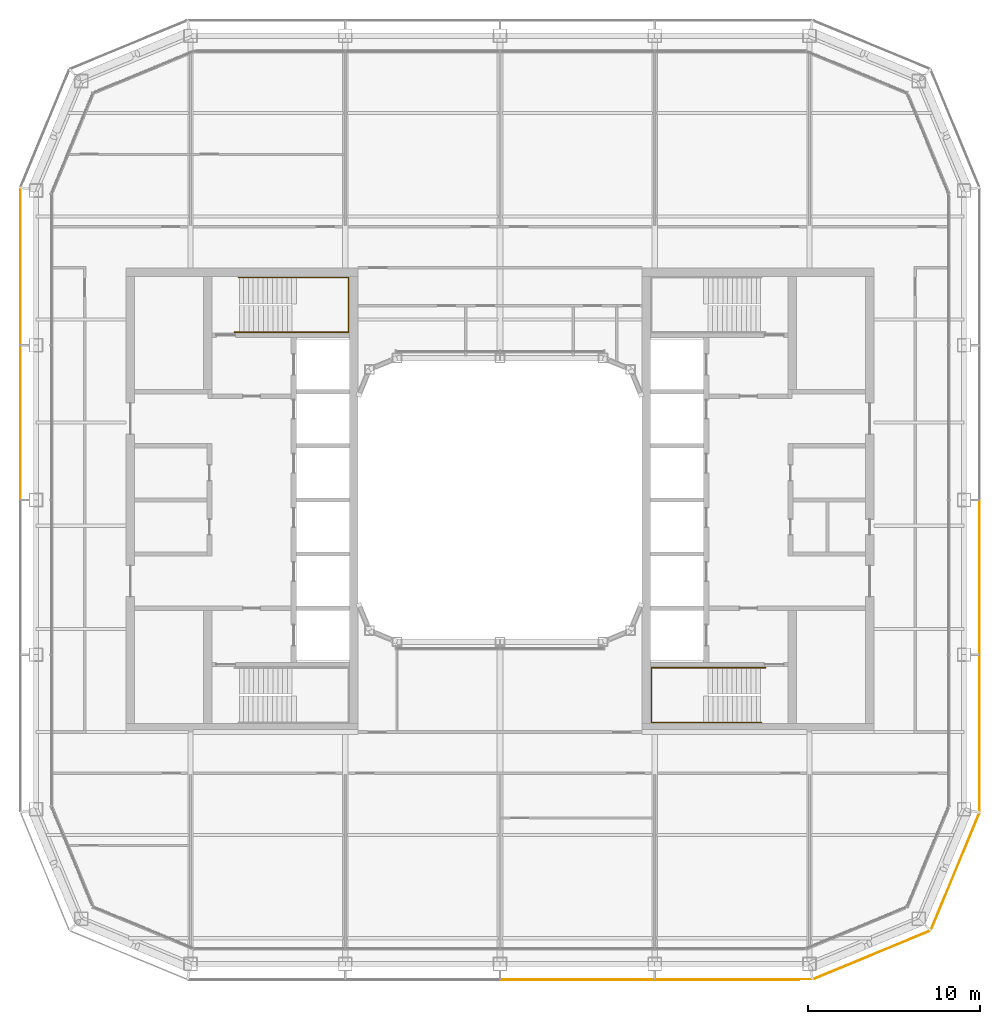
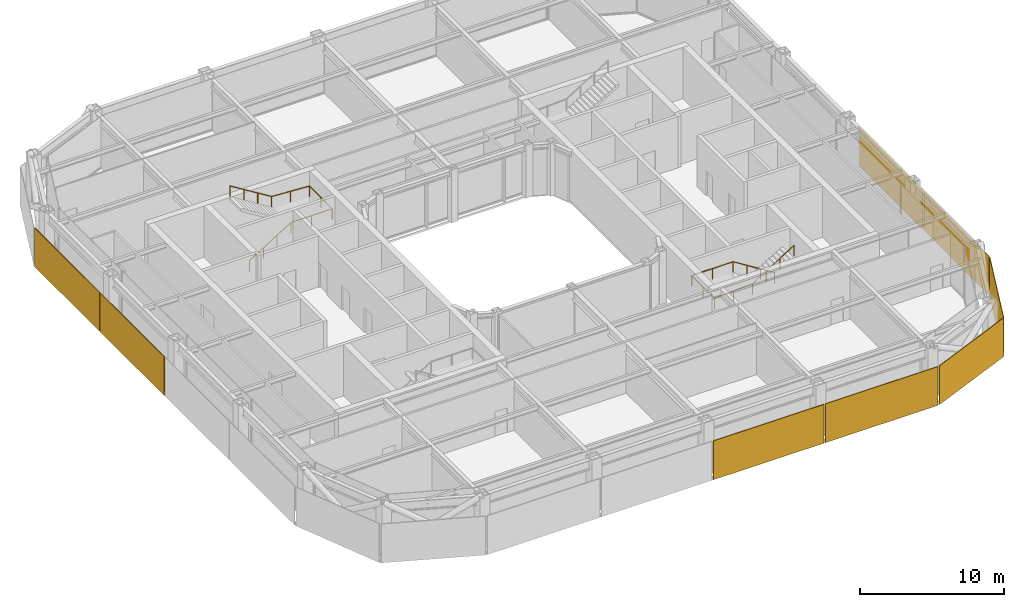
# One storey, part 17 of 19: 8 coverings, 2 railings.
"""IFC4 building model written with IfcOpenShell, lengths in metres."""

import ifcopenshell
import ifcopenshell.guid

model = None  # the IFC model being written
_history = None  # IfcOwnerHistory: only IFC2X3 demands one
_inside = {}  # id of a spatial element -> (the spatial element, [elements in it])
_under = {}  # id of a project, library or spatial element -> (it, [spatial elements below it])
_declared = {}  # id of a project -> (the project, [libraries it declares])
_typed = {}  # id of a type object -> (the type object, [elements of that type])
_made_of = {}  # id of a material, layer set ... -> (it, [elements and type objects made of it])


def new_model(schema):
    """Start an empty IFC model of exactly this schema.

    Asked for "IFC4X3", IfcOpenShell would pick the latest addendum, in which some entities
    have other attributes; the version numbers below select the first issue.
    IFC2X3 requires an IfcOwnerHistory on every rooted entity: one is made here for all.
    """
    global model, _history
    if schema == "IFC4X3":
        model = ifcopenshell.file(schema_version=(4, 3, 0, 0))
    else:
        model = ifcopenshell.file(schema=schema)
    _inside.clear()
    _under.clear()
    _declared.clear()
    _typed.clear()
    _made_of.clear()
    _history = None
    if model.schema == "IFC2X3":
        org = make("IfcOrganization", Name="unknown")
        user = make(
            "IfcPersonAndOrganization",
            ThePerson=make("IfcPerson", FamilyName="unknown"),
            TheOrganization=org,
        )
        app = make(
            "IfcApplication",
            ApplicationDeveloper=org,
            Version="unknown",
            ApplicationFullName="unknown",
            ApplicationIdentifier="unknown",
        )
        _history = make(
            "IfcOwnerHistory",
            OwningUser=user,
            OwningApplication=app,
            ChangeAction="ADDED",
            CreationDate=0,
        )
    return model


def make(cls, **values):
    """One entity of the class cls with the attributes given. An attribute that is None is left unset."""
    return model.create_entity(
        cls, **{name: value for name, value in values.items() if value is not None}
    )


def rooted(cls, **values):
    """An entity with a GlobalId (a new one), such as an element, a storey or a relation."""
    return make(cls, GlobalId=ifcopenshell.guid.new(), OwnerHistory=_history, **values)


def si_unit(unit_type, name, prefix=None):
    """IfcSIUnit, for example si_unit("LENGTHUNIT", "METRE", prefix="MILLI")."""
    return make("IfcSIUnit", UnitType=unit_type, Prefix=prefix, Name=name)


def assignment(units):
    """IfcUnitAssignment: the units of a project."""
    return None if units is None else make("IfcUnitAssignment", Units=units)


def point(xyz):
    """IfcCartesianPoint."""
    return None if xyz is None else make("IfcCartesianPoint", Coordinates=xyz)


def direction(xyz):
    """IfcDirection."""
    return None if xyz is None else make("IfcDirection", DirectionRatios=xyz)


def frame(location, z_axis=None, x_axis=None):
    """IfcAxis2Placement3D, a coordinate frame: its origin and axes. An axis left out is left unset."""
    return make(
        "IfcAxis2Placement3D",
        Location=point(location),
        Axis=direction(z_axis),
        RefDirection=direction(x_axis),
    )


def frame_2d(location, x_axis=None):
    """IfcAxis2Placement2D, a coordinate frame in the plane: its origin and x axis."""
    return make(
        "IfcAxis2Placement2D", Location=point(location), RefDirection=direction(x_axis)
    )


def origin():
    """The frame at (0, 0, 0) with its axes left unset."""
    return frame((0.0, 0.0, 0.0))


def origin_2d():
    """The frame at (0, 0) in the plane with its x axis left unset."""
    return frame_2d((0.0, 0.0))


def place(relative_to, where):
    """IfcLocalPlacement: puts the frame where relative to a parent placement (None: the world)."""
    return make(
        "IfcLocalPlacement", PlacementRelTo=relative_to, RelativePlacement=where
    )


def context(
    kind, dimensions, precision=None, world=None, true_north=None, identifier=None
):
    """IfcGeometricRepresentationContext, for example the 3D "Model" context."""
    return make(
        "IfcGeometricRepresentationContext",
        ContextIdentifier=identifier,
        ContextType=kind,
        CoordinateSpaceDimension=dimensions,
        Precision=precision,
        WorldCoordinateSystem=world,
        TrueNorth=true_north,
    )


def subcontext(parent, identifier, kind, view, scale=None):
    """IfcGeometricRepresentationSubContext, for example "Body" below "Model"."""
    return make(
        "IfcGeometricRepresentationSubContext",
        ContextIdentifier=identifier,
        ContextType=kind,
        ParentContext=parent,
        TargetScale=scale,
        TargetView=view,
    )


def project(units=None, contexts=None):
    """IfcProject with its units and contexts."""
    return rooted(
        "IfcProject",
        Name="project",
        RepresentationContexts=contexts,
        UnitsInContext=assignment(units),
    )


def spatial(cls, under=None, at=None, **own):
    """A site, building, storey or space (cls), placed at a placement, below another one or the project."""
    s = rooted(cls, ObjectPlacement=at, **own)
    if under is not None:
        _under.setdefault(under.id(), (under, []))[1].append(s)
    return s


def profile(cls, at=None, kind="AREA", **sizes):
    """A parametric profile (cls). Its sizes go by their IFC names, for example OverallWidth=200.0."""
    return make(cls, ProfileType=kind, Position=at, **sizes)


def rectangle(**sizes):
    """IfcRectangleProfileDef."""
    return profile("IfcRectangleProfileDef", **sizes)


def circle(**sizes):
    """IfcCircleProfileDef."""
    return profile("IfcCircleProfileDef", **sizes)


def extrude(swept, where, along, depth):
    """IfcExtrudedAreaSolid: the profile swept, set in the frame where, extruded along a direction by depth."""
    return make(
        "IfcExtrudedAreaSolid",
        SweptArea=swept,
        Position=where,
        ExtrudedDirection=direction(along),
        Depth=depth,
    )


def shape(context_of_items, identifier, shape_type, items):
    """IfcShapeRepresentation: the items that make up one representation, for example the "Body"."""
    return make(
        "IfcShapeRepresentation",
        ContextOfItems=context_of_items,
        RepresentationIdentifier=identifier,
        RepresentationType=shape_type,
        Items=items,
    )


def material(Name=None, Category=None):
    """IfcMaterial."""
    return make("IfcMaterial", Name=Name, Category=Category)


def layer(
    of_material, thickness, ventilated=None, Name=None, Category=None, Priority=None
):
    """IfcMaterialLayer: one layer of a wall or slab, of a material (None: an air gap)."""
    return make(
        "IfcMaterialLayer",
        Material=of_material,
        LayerThickness=thickness,
        IsVentilated=ventilated,
        Name=Name,
        Category=Category,
        Priority=Priority,
    )


def layer_set(layers, Name=None):
    """IfcMaterialLayerSet."""
    return make("IfcMaterialLayerSet", MaterialLayers=layers, LayerSetName=Name)


def made_of(thing, what):
    """Note that an element or type object is made of a material, layer set ...; save() writes the relation."""
    if what is not None:
        _made_of.setdefault(what.id(), (what, []))[1].append(thing)
    return thing


def type_object(cls, material=None, **own):
    """A type object (cls), such as IfcWallType, which elements share."""
    return made_of(rooted(cls, **own), material)


def element(
    cls,
    number,
    at=None,
    inside=None,
    cuts=None,
    type_object=None,
    material=None,
    context=None,
    identifier="Body",
    shape_type=None,
    held_by="IfcProductDefinitionShape",
    body=None,
    shapes=None,
    **own,
):
    """One element of the class cls, such as IfcWall. Its Tag is "e" and its number.

    at: its placement. inside: the storey or other place that contains it. cuts: it is an
    opening in that element (IfcRelVoidsElement). A single representation is given by context,
    identifier, shape_type and body (its items); several are given by shapes. held_by: the class
    of the entity that holds the representations. save() writes the other relations.
    """
    e = rooted(cls, Tag="e%d" % number, ObjectPlacement=at, **own)
    if body is not None:
        shapes = [shape(context, identifier, shape_type, body)]
    if shapes is not None:
        e.Representation = make(held_by, Representations=shapes)
    if inside is not None:
        _inside.setdefault(inside.id(), (inside, []))[1].append(e)
    if cuts is not None:
        rooted(
            "IfcRelVoidsElement", RelatingBuildingElement=cuts, RelatedOpeningElement=e
        )
    if type_object is not None:
        _typed.setdefault(type_object.id(), (type_object, []))[1].append(e)
    return made_of(e, material)


def aggregate(whole, parts):
    """IfcRelAggregates: a whole, such as a stair, and the parts it consists of."""
    return rooted("IfcRelAggregates", RelatingObject=whole, RelatedObjects=parts)


def save(model, path):
    """Write the relations noted so far, then the file.

    IfcRelAggregates (storeys below a building ...), IfcRelContainedInSpatialStructure (elements
    in a storey), IfcRelDefinesByType, IfcRelAssociatesMaterial and IfcRelDeclares: one each for
    every whole, place, type object, material and project.
    """
    for whole, parts in _under.values():
        aggregate(whole, parts)
    for where, things in _inside.values():
        rooted(
            "IfcRelContainedInSpatialStructure",
            RelatedElements=things,
            RelatingStructure=where,
        )
    for kind, things in _typed.values():
        rooted("IfcRelDefinesByType", RelatedObjects=things, RelatingType=kind)
    for what, things in _made_of.values():
        rooted("IfcRelAssociatesMaterial", RelatedObjects=things, RelatingMaterial=what)
    for by, libraries in _declared.values():
        rooted("IfcRelDeclares", RelatingContext=by, RelatedDefinitions=libraries)
    model.write(path)


model = new_model("IFC4")

# Units and contexts
model_context = context("Model", 3, precision=1e-05, world=origin(), true_north=direction((0.0, 1.0)))
body_context = subcontext(model_context, "Body", "Model", "MODEL_VIEW")
ifc_project = project(units=[si_unit("LENGTHUNIT", "METRE"), si_unit("AREAUNIT", "SQUARE_METRE"), si_unit("VOLUMEUNIT", "CUBIC_METRE"), si_unit("PLANEANGLEUNIT", "RADIAN"), si_unit("MASSUNIT", "GRAM", prefix="KILO")], contexts=[model_context])

# Site, building, storey
site_placement = place(None, origin())
site = spatial("IfcSite", under=ifc_project, at=site_placement, CompositionType="ELEMENT")
building_placement = place(site_placement, origin())
building = spatial("IfcBuilding", under=site, at=building_placement, Name="Siwar Civic Tower", CompositionType="ELEMENT")
storey_placement = place(building_placement, frame((0.0, 0.0, 246.699951171875)))
storey = spatial("IfcBuildingStorey", under=building, at=storey_placement, Name="L53", CompositionType="ELEMENT", Elevation=246.699951171875)

# Railings
ifc_material_1 = material(Name="Stainless steel", Category="steel")
railing_type = type_object("IfcRailingType", Name="CORE-STAIR-HANDRAIL", PredefinedType="HANDRAIL", material=ifc_material_1)
railing_1_placement = place(storey_placement, frame((-15.449951171875, 9.758056640625, 0.173095703125)))
element("IfcRailing", 1, at=railing_1_placement, inside=storey, type_object=railing_type, Name="Stair handrail ST1", PredefinedType="HANDRAIL", context=body_context, shape_type="SweptSolid", body=[
    extrude(circle(Radius=0.02001953125, at=origin_2d()), frame((0.0, 0.0, 0.8798828125), z_axis=(0.847063342986, 0.0, 0.531491950051), x_axis=(0.0, 1.0, 0.0)), (0.0, 0.0, 1.0), 3.90771484375),
    extrude(circle(Radius=0.02001953125, at=origin_2d()), frame((3.31005859375, 0.0, 2.956787109375), z_axis=(1.0, 0.0, 0.0), x_axis=(0.0, 1.0, 0.0)), (0.0, 0.0, 1.0), 3.331787109375),
    extrude(circle(Radius=0.02001953125, at=origin_2d()), frame((6.641845703125, 0.0, 2.956787109375), z_axis=(0.0, 1.0, 0.0), x_axis=(-1.0, 0.0, 0.0)), (0.0, 0.0, 1.0), 3.183837890625),
    extrude(circle(Radius=0.02001953125, at=origin_2d()), frame((6.641845703125, 3.183837890625, 2.956787109375), z_axis=(-0.99837434197, 0.0, 0.056997134106), x_axis=(0.0, -1.0, 0.0)), (0.0, 0.0, 1.0), 3.036865234375),
    extrude(circle(Radius=0.02001953125, at=origin_2d()), frame((3.60986328125, 3.183837890625, 3.1298828125), z_axis=(-0.850606129759, 0.0, 0.525803396734), x_axis=(0.0, -1.0, 0.0)), (0.0, 0.0, 1.0), 3.949951171875),
    extrude(circle(Radius=0.02001953125, at=origin_2d()), origin(), (0.0, 0.0, 1.0), 0.85986328125),
    extrude(circle(Radius=0.02001953125, at=origin_2d()), frame((1.103271484375, 0.0, 0.6923828125)), (0.0, 0.0, 1.0), 0.85986328125),
    extrude(circle(Radius=0.02001953125, at=origin_2d()), frame((2.206787109375, 0.0, 1.384521484375)), (0.0, 0.0, 1.0), 0.85986328125),
    extrude(circle(Radius=0.02001953125, at=origin_2d()), frame((3.31005859375, 0.0, 2.076904296875)), (0.0, 0.0, 1.0), 0.85986328125),
    extrude(circle(Radius=0.02001953125, at=origin_2d()), frame((4.97607421875, 0.0, 2.076904296875)), (0.0, 0.0, 1.0), 0.85986328125),
    extrude(circle(Radius=0.02001953125, at=origin_2d()), frame((6.641845703125, 0.0, 2.076904296875)), (0.0, 0.0, 1.0), 0.85986328125),
    extrude(circle(Radius=0.02001953125, at=origin_2d()), frame((6.641845703125, 1.591796875, 2.076904296875)), (0.0, 0.0, 1.0), 0.85986328125),
    extrude(circle(Radius=0.02001953125, at=origin_2d()), frame((6.641845703125, 3.183837890625, 2.076904296875)), (0.0, 0.0, 1.0), 0.85986328125),
    extrude(circle(Radius=0.02001953125, at=origin_2d()), frame((5.1259765625, 3.183837890625, 2.16357421875)), (0.0, 0.0, 1.0), 0.85986328125),
    extrude(circle(Radius=0.02001953125, at=origin_2d()), frame((3.60986328125, 3.183837890625, 2.25)), (0.0, 0.0, 1.0), 0.85986328125),
    extrude(circle(Radius=0.02001953125, at=origin_2d()), frame((2.489990234375, 3.183837890625, 2.9423828125)), (0.0, 0.0, 1.0), 0.85986328125),
    extrude(circle(Radius=0.02001953125, at=origin_2d()), frame((1.369873046875, 3.183837890625, 3.634521484375)), (0.0, 0.0, 1.0), 0.85986328125),
    extrude(circle(Radius=0.02001953125, at=origin_2d()), frame((0.25, 3.183837890625, 4.326904296875)), (0.0, 0.0, 1.0), 0.85986328125),
])
railing_2_placement = place(storey_placement, frame((15.449951171875, -9.758056640625, 0.173095703125)))
element("IfcRailing", 2, at=railing_2_placement, inside=storey, type_object=railing_type, Name="Stair handrail ST4", PredefinedType="HANDRAIL", context=body_context, shape_type="SweptSolid", body=[
    extrude(circle(Radius=0.02001953125, at=origin_2d()), frame((0.0, 0.0, 0.8798828125), z_axis=(-0.847063342986, 0.0, 0.531491950051), x_axis=(0.0, -1.0, 0.0)), (0.0, 0.0, 1.0), 3.90771484375),
    extrude(circle(Radius=0.02001953125, at=origin_2d()), frame((-3.31005859375, 0.0, 2.956787109375), z_axis=(-1.0, 0.0, 0.0), x_axis=(0.0, -1.0, 0.0)), (0.0, 0.0, 1.0), 3.331787109375),
    extrude(circle(Radius=0.02001953125, at=origin_2d()), frame((-6.641845703125, 0.0, 2.956787109375), z_axis=(0.0, -1.0, 0.0), x_axis=(1.0, 0.0, 0.0)), (0.0, 0.0, 1.0), 3.183837890625),
    extrude(circle(Radius=0.02001953125, at=origin_2d()), frame((-6.641845703125, -3.183837890625, 2.956787109375), z_axis=(0.99837434197, 0.0, 0.056997134106), x_axis=(0.0, 1.0, 0.0)), (0.0, 0.0, 1.0), 3.036865234375),
    extrude(circle(Radius=0.02001953125, at=origin_2d()), frame((-3.60986328125, -3.183837890625, 3.1298828125), z_axis=(0.850606129759, 0.0, 0.525803396734), x_axis=(0.0, 1.0, 0.0)), (0.0, 0.0, 1.0), 3.949951171875),
    extrude(circle(Radius=0.02001953125, at=origin_2d()), origin(), (0.0, 0.0, 1.0), 0.85986328125),
    extrude(circle(Radius=0.02001953125, at=origin_2d()), frame((-1.103271484375, 0.0, 0.6923828125)), (0.0, 0.0, 1.0), 0.85986328125),
    extrude(circle(Radius=0.02001953125, at=origin_2d()), frame((-2.206787109375, 0.0, 1.384521484375)), (0.0, 0.0, 1.0), 0.85986328125),
    extrude(circle(Radius=0.02001953125, at=origin_2d()), frame((-3.31005859375, 0.0, 2.076904296875)), (0.0, 0.0, 1.0), 0.85986328125),
    extrude(circle(Radius=0.02001953125, at=origin_2d()), frame((-4.97607421875, 0.0, 2.076904296875)), (0.0, 0.0, 1.0), 0.85986328125),
    extrude(circle(Radius=0.02001953125, at=origin_2d()), frame((-6.641845703125, 0.0, 2.076904296875)), (0.0, 0.0, 1.0), 0.85986328125),
    extrude(circle(Radius=0.02001953125, at=origin_2d()), frame((-6.641845703125, -1.591796875, 2.076904296875)), (0.0, 0.0, 1.0), 0.85986328125),
    extrude(circle(Radius=0.02001953125, at=origin_2d()), frame((-6.641845703125, -3.183837890625, 2.076904296875)), (0.0, 0.0, 1.0), 0.85986328125),
    extrude(circle(Radius=0.02001953125, at=origin_2d()), frame((-5.1259765625, -3.183837890625, 2.16357421875)), (0.0, 0.0, 1.0), 0.85986328125),
    extrude(circle(Radius=0.02001953125, at=origin_2d()), frame((-3.60986328125, -3.183837890625, 2.25)), (0.0, 0.0, 1.0), 0.85986328125),
    extrude(circle(Radius=0.02001953125, at=origin_2d()), frame((-2.489990234375, -3.183837890625, 2.9423828125)), (0.0, 0.0, 1.0), 0.85986328125),
    extrude(circle(Radius=0.02001953125, at=origin_2d()), frame((-1.369873046875, -3.183837890625, 3.634521484375)), (0.0, 0.0, 1.0), 0.85986328125),
    extrude(circle(Radius=0.02001953125, at=origin_2d()), frame((-0.25, -3.183837890625, 4.326904296875)), (0.0, 0.0, 1.0), 0.85986328125),
])

# Coverings
ifc_material_2 = material(Name="Perforated aluminium cassette, pale metal", Category="aluminium")
ifc_layer_1 = layer(ifc_material_2, 0.0400390625)
ifc_layer_set_1 = layer_set([ifc_layer_1], Name="Perforated aluminium cassette, pale metal")
covering_type_1 = type_object("IfcCoveringType", Name="ENV-OUTER SKIN OS-1", PredefinedType="CLADDING", material=ifc_layer_set_1)
covering_1_placement = place(storey_placement, frame((27.89990234375, -13.57958984375, -0.14990234375), z_axis=(0.0, 0.0, 1.0), x_axis=(0.0, 1.0, 0.0)))
element("IfcCovering", 3, at=covering_1_placement, inside=storey, type_object=covering_type_1, Name="OUTER SKIN OS-1 E 1", PredefinedType="CLADDING", context=body_context, shape_type="SweptSolid", body=[
    extrude(rectangle(XDim=9.05908203125, YDim=0.0400390625, at=origin_2d()), origin(), (0.0, 0.0, 1.0), 3.300048828125),
])
covering_2_placement = place(storey_placement, frame((27.89990234375, -4.5, -0.14990234375), z_axis=(0.0, 0.0, 1.0), x_axis=(0.0, 1.0, 0.0)))
element("IfcCovering", 4, at=covering_2_placement, inside=storey, type_object=covering_type_1, Name="OUTER SKIN OS-1 E 2", PredefinedType="CLADDING", context=body_context, shape_type="SweptSolid", body=[
    extrude(rectangle(XDim=8.89990234375, YDim=0.0400390625, at=origin_2d()), origin(), (0.0, 0.0, 1.0), 3.300048828125),
])
ifc_material_3 = material(Name="Perforated aluminium cassette, pale metal", Category="aluminium")
ifc_layer_2 = layer(ifc_material_3, 0.044921875)
ifc_layer_set_2 = layer_set([ifc_layer_2], Name="Perforated aluminium cassette, pale metal")
covering_type_2 = type_object("IfcCoveringType", Name="ENV-OUTER SKIN OS-2", PredefinedType="CLADDING", material=ifc_layer_set_2)
covering_3_placement = place(storey_placement, frame((26.476318359375, -21.615966796875, -0.14990234375), z_axis=(0.0, 0.0, 1.0), x_axis=(0.382683432365, 0.923879532511, 0.0)))
element("IfcCovering", 5, at=covering_3_placement, inside=storey, type_object=covering_type_2, Name="OUTER SKIN OS-2 SE2 1", PredefinedType="CLADDING", context=body_context, shape_type="SweptSolid", body=[
    extrude(rectangle(XDim=7.300048828125, YDim=0.044921875, at=origin_2d()), origin(), (0.0, 0.0, 1.0), 3.300048828125),
])
ifc_material_4 = material(Name="Perforated aluminium cassette, pale metal", Category="aluminium")
ifc_layer_3 = layer(ifc_material_4, 0.050048828125)
ifc_layer_set_3 = layer_set([ifc_layer_3], Name="Perforated aluminium cassette, pale metal")
covering_type_3 = type_object("IfcCoveringType", Name="ENV-OUTER SKIN OS-3", PredefinedType="CLADDING", material=ifc_layer_set_3)
covering_4_placement = place(storey_placement, frame((21.615966796875, -26.476318359375, -0.14990234375), z_axis=(0.0, 0.0, 1.0), x_axis=(0.923879532511, 0.382683432365, 0.0)))
element("IfcCovering", 6, at=covering_4_placement, inside=storey, type_object=covering_type_3, Name="OUTER SKIN OS-3 SE1 1", PredefinedType="CLADDING", context=body_context, shape_type="SweptSolid", body=[
    extrude(rectangle(XDim=7.300048828125, YDim=0.050048828125, at=origin_2d()), origin(), (0.0, 0.0, 1.0), 3.300048828125),
])
covering_5_placement = place(storey_placement, frame((-27.89990234375, 13.57958984375, -0.14990234375), z_axis=(0.0, 0.0, 1.0), x_axis=(0.0, -1.0, 0.0)))
element("IfcCovering", 7, at=covering_5_placement, inside=storey, type_object=covering_type_3, Name="OUTER SKIN OS-3 W 1", PredefinedType="CLADDING", context=body_context, shape_type="SweptSolid", body=[
    extrude(rectangle(XDim=9.05908203125, YDim=0.050048828125, at=origin_2d()), origin(), (0.0, 0.0, 1.0), 3.300048828125),
])
covering_6_placement = place(storey_placement, frame((-27.89990234375, 4.5, -0.14990234375), z_axis=(0.0, 0.0, 1.0), x_axis=(0.0, -1.0, 0.0)))
element("IfcCovering", 8, at=covering_6_placement, inside=storey, type_object=covering_type_3, Name="OUTER SKIN OS-3 W 2", PredefinedType="CLADDING", context=body_context, shape_type="SweptSolid", body=[
    extrude(rectangle(XDim=8.89990234375, YDim=0.050048828125, at=origin_2d()), origin(), (0.0, 0.0, 1.0), 3.300048828125),
])
ifc_material_5 = material(Name="Perforated aluminium cassette, pale metal", Category="aluminium")
ifc_layer_4 = layer(ifc_material_5, 0.054931640625)
ifc_layer_set_4 = layer_set([ifc_layer_4], Name="Perforated aluminium cassette, pale metal")
covering_type_4 = type_object("IfcCoveringType", Name="ENV-OUTER SKIN OS-4", PredefinedType="CLADDING", material=ifc_layer_set_4)
covering_7_placement = place(storey_placement, frame((4.5, -27.89990234375, -0.14990234375), z_axis=(0.0, 0.0, 1.0), x_axis=(1.0, 0.0, 0.0)))
element("IfcCovering", 9, at=covering_7_placement, inside=storey, type_object=covering_type_4, Name="OUTER SKIN OS-4 S 3", PredefinedType="CLADDING", context=body_context, shape_type="SweptSolid", body=[
    extrude(rectangle(XDim=8.89990234375, YDim=0.054931640625, at=origin_2d()), origin(), (0.0, 0.0, 1.0), 3.300048828125),
])
covering_8_placement = place(storey_placement, frame((13.57958984375, -27.89990234375, -0.14990234375), z_axis=(0.0, 0.0, 1.0), x_axis=(1.0, 0.0, 0.0)))
element("IfcCovering", 10, at=covering_8_placement, inside=storey, type_object=covering_type_4, Name="OUTER SKIN OS-4 S 4", PredefinedType="CLADDING", context=body_context, shape_type="SweptSolid", body=[
    extrude(rectangle(XDim=9.05908203125, YDim=0.054931640625, at=origin_2d()), origin(), (0.0, 0.0, 1.0), 3.300048828125),
])

save(model, "model.ifc")
